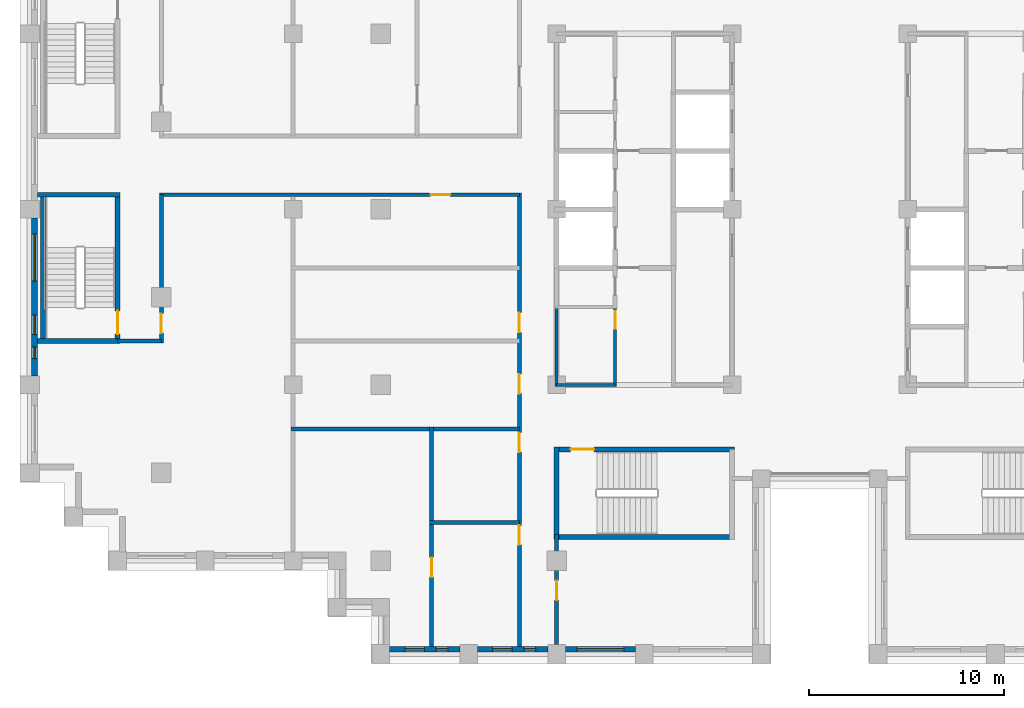
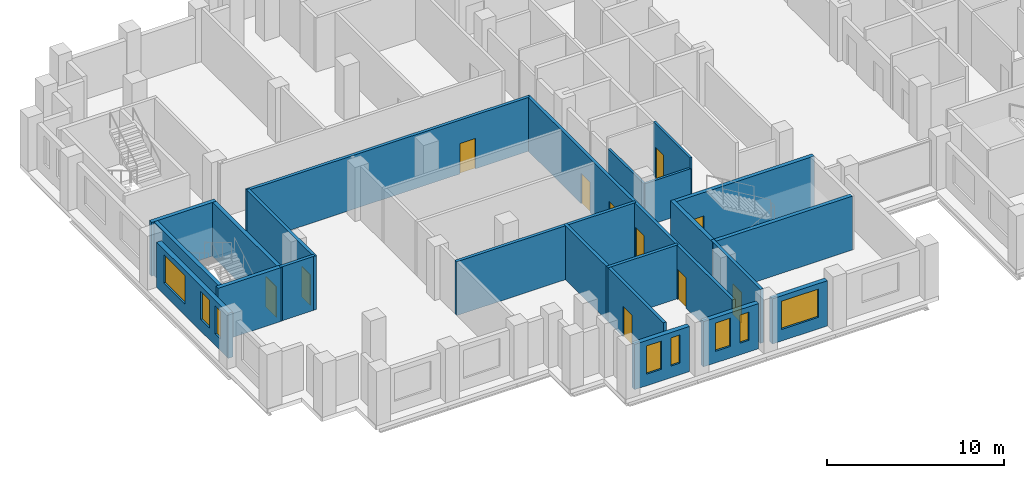
# One storey, part 6 of 15: 22 walls, 11 doors, 8 windows, 19 openings.
"""IFC4 building model written with IfcOpenShell, lengths in metres."""

from ifc_helpers import new_model, si_unit, direction, frame, frame_2d, origin, place, context, subcontext, project, spatial, rectangle, extrude, material, layer, layer_set, type_object, element, fill, save


model = new_model("IFC4")

# Units and contexts
model_context = context("Model", 3, precision=1e-05, world=origin(), true_north=direction((0.0, 1.0)))
body_context = subcontext(model_context, "Body", "Model", "MODEL_VIEW")
ifc_project = project(units=[si_unit("LENGTHUNIT", "METRE"), si_unit("AREAUNIT", "SQUARE_METRE"), si_unit("VOLUMEUNIT", "CUBIC_METRE"), si_unit("PLANEANGLEUNIT", "RADIAN"), si_unit("MASSUNIT", "GRAM", prefix="KILO")], contexts=[model_context])

# Site, building, storey
site_placement = place(None, origin())
site = spatial("IfcSite", under=ifc_project, at=site_placement, CompositionType="ELEMENT")
building_placement = place(site_placement, origin())
building = spatial("IfcBuilding", under=site, at=building_placement, Name="Corbelhall Arena Tower", CompositionType="ELEMENT")
storey_placement = place(building_placement, frame((0.0, 0.0, 216.0)))
storey = spatial("IfcBuildingStorey", under=building, at=storey_placement, Name="L45", CompositionType="ELEMENT", Elevation=216.0)

# Wall, openings, windows
ifc_material_1 = material(Name="Precast concrete C40/50 with granite facing", Category="masonry")
ifc_layer_1 = layer(ifc_material_1, 0.300048828125)
ifc_layer_set_1 = layer_set([ifc_layer_1], Name="EV-IW1 Infill panel 300")
wall_type_1 = type_object("IfcWallType", Name="EV-IW1 Infill panel 300", PredefinedType="SOLIDWALL", material=ifc_layer_set_1)
wall_1_placement = place(storey_placement, frame((-40.25, -0.449951171875, 0.0), z_axis=(0.0, 0.0, 1.0), x_axis=(0.0, -1.0, 0.0)))
wall_1 = element("IfcWall", 1, at=wall_1_placement, inside=storey, type_object=wall_type_1, Name="Infill panel IW1", PredefinedType="SOLIDWALL", context=body_context, shape_type="SweptSolid", body=[
    extrude(rectangle(XDim=8.10009765625, YDim=0.300048828125, at=frame_2d((4.050048828125, 0.0))), origin(), (0.0, 0.0, 1.0), 3.1201171875),
])
opening_1_placement = place(wall_1_placement, frame((0.824951171875, 0.0, 0.800048828125)))
opening_1 = element("IfcOpeningElement", 2, at=opening_1_placement, cuts=wall_1, Name="Opening WN1", PredefinedType="OPENING", context=body_context, shape_type="SweptSolid", body=[
    extrude(rectangle(XDim=2.39990234375, YDim=1.949951171875, at=frame_2d((1.199951171875, 0.97509765625))), frame((0.0, 0.14990234375, 0.0), z_axis=(0.0, -1.0, 0.0), x_axis=(1.0, 0.0, 0.0)), (0.0, 0.0, 1.0), 0.300048828125),
])
opening_2_placement = place(wall_1_placement, frame((4.97509765625, 0.0, 0.800048828125)))
opening_2 = element("IfcOpeningElement", 3, at=opening_2_placement, cuts=wall_1, Name="Opening WN6", PredefinedType="OPENING", context=body_context, shape_type="SweptSolid", body=[
    extrude(rectangle(XDim=1.0, YDim=1.949951171875, at=frame_2d((0.5, 0.97509765625))), frame((0.0, 0.14990234375, 0.0), z_axis=(0.0, -1.0, 0.0), x_axis=(1.0, 0.0, 0.0)), (0.0, 0.0, 1.0), 0.300048828125),
])
opening_3_placement = place(wall_1_placement, frame((6.60009765625, 0.0, 0.800048828125)))
opening_3 = element("IfcOpeningElement", 4, at=opening_3_placement, cuts=wall_1, Name="Opening WN5", PredefinedType="OPENING", context=body_context, shape_type="SweptSolid", body=[
    extrude(rectangle(XDim=0.60009765625, YDim=1.949951171875, at=frame_2d((0.300048828125, 0.97509765625))), frame((0.0, 0.14990234375, 0.0), z_axis=(0.0, -1.0, 0.0), x_axis=(1.0, 0.0, 0.0)), (0.0, 0.0, 1.0), 0.300048828125),
])
ifc_material_2 = material(Name="Aluminium black anodised", Category="aluminium")
window_type_1 = type_object("IfcWindowType", Name="EV-WN1 Office window", PartitioningType="SINGLE_PANEL", PredefinedType="WINDOW", material=ifc_material_2)
window_1_placement = place(opening_1_placement, origin())
window_1 = element("IfcWindow", 5, at=window_1_placement, inside=storey, type_object=window_type_1, Name="Window WN1", OverallHeight=1.949951171875, OverallWidth=2.39990234375, PartitioningType="SINGLE_PANEL", PredefinedType="WINDOW", context=body_context, shape_type="SweptSolid", body=[
    extrude(rectangle(XDim=2.39990234375, YDim=1.949951171875, at=frame_2d((1.199951171875, 0.97509765625))), frame((0.0, 0.030029296875, 0.0), z_axis=(0.0, -1.0, 0.0), x_axis=(1.0, 0.0, 0.0)), (0.0, 0.0, 1.0), 0.06005859375),
])
fill(opening_1, window_1)
window_type_2 = type_object("IfcWindowType", Name="EV-WN5 Office window 600", PartitioningType="SINGLE_PANEL", PredefinedType="WINDOW", material=ifc_material_2)
window_2_placement = place(opening_3_placement, origin())
window_2 = element("IfcWindow", 6, at=window_2_placement, inside=storey, type_object=window_type_2, Name="Window WN5", OverallHeight=1.949951171875, OverallWidth=0.60009765625, PartitioningType="SINGLE_PANEL", PredefinedType="WINDOW", context=body_context, shape_type="SweptSolid", body=[
    extrude(rectangle(XDim=0.60009765625, YDim=1.949951171875, at=frame_2d((0.300048828125, 0.97509765625))), frame((0.0, 0.030029296875, 0.0), z_axis=(0.0, -1.0, 0.0), x_axis=(1.0, 0.0, 0.0)), (0.0, 0.0, 1.0), 0.06005859375),
])
fill(opening_3, window_2)
window_type_3 = type_object("IfcWindowType", Name="EV-WN6 Office window 1000", PartitioningType="SINGLE_PANEL", PredefinedType="WINDOW", material=ifc_material_2)
window_3_placement = place(opening_2_placement, origin())
window_3 = element("IfcWindow", 7, at=window_3_placement, inside=storey, type_object=window_type_3, Name="Window WN6", OverallHeight=1.949951171875, OverallWidth=1.0, PartitioningType="SINGLE_PANEL", PredefinedType="WINDOW", context=body_context, shape_type="SweptSolid", body=[
    extrude(rectangle(XDim=1.0, YDim=1.949951171875, at=frame_2d((0.5, 0.97509765625))), frame((0.0, 0.030029296875, 0.0), z_axis=(0.0, -1.0, 0.0), x_axis=(1.0, 0.0, 0.0)), (0.0, 0.0, 1.0), 0.06005859375),
])
fill(opening_2, window_3)

wall_2_placement = place(storey_placement, frame((-22.050048828125, -22.550048828125, 0.0), z_axis=(0.0, 0.0, 1.0), x_axis=(1.0, 0.0, 0.0)))
wall_2 = element("IfcWall", 8, at=wall_2_placement, inside=storey, type_object=wall_type_1, Name="Infill panel IW1", PredefinedType="SOLIDWALL", context=body_context, shape_type="SweptSolid", body=[
    extrude(rectangle(XDim=3.60009765625, YDim=0.300048828125, at=frame_2d((1.800048828125, 0.0))), origin(), (0.0, 0.0, 1.0), 3.1201171875),
])
opening_4_placement = place(wall_2_placement, frame((0.77490234375, 0.0, 0.800048828125)))
opening_4 = element("IfcOpeningElement", 9, at=opening_4_placement, cuts=wall_2, Name="Opening WN6", PredefinedType="OPENING", context=body_context, shape_type="SweptSolid", body=[
    extrude(rectangle(XDim=1.0, YDim=1.949951171875, at=frame_2d((0.5, 0.97509765625))), frame((0.0, 0.14990234375, 0.0), z_axis=(0.0, -1.0, 0.0), x_axis=(1.0, 0.0, 0.0)), (0.0, 0.0, 1.0), 0.300048828125),
])
opening_5_placement = place(wall_2_placement, frame((2.375, 0.0, 0.800048828125)))
opening_5 = element("IfcOpeningElement", 10, at=opening_5_placement, cuts=wall_2, Name="Opening WN5", PredefinedType="OPENING", context=body_context, shape_type="SweptSolid", body=[
    extrude(rectangle(XDim=0.60009765625, YDim=1.949951171875, at=frame_2d((0.300048828125, 0.97509765625))), frame((0.0, 0.14990234375, 0.0), z_axis=(0.0, -1.0, 0.0), x_axis=(1.0, 0.0, 0.0)), (0.0, 0.0, 1.0), 0.300048828125),
])
window_4_placement = place(opening_5_placement, origin())
window_4 = element("IfcWindow", 11, at=window_4_placement, inside=storey, type_object=window_type_2, Name="Window WN5", OverallHeight=1.949951171875, OverallWidth=0.60009765625, PartitioningType="SINGLE_PANEL", PredefinedType="WINDOW", context=body_context, shape_type="SweptSolid", body=[
    extrude(rectangle(XDim=0.60009765625, YDim=1.949951171875, at=frame_2d((0.300048828125, 0.97509765625))), frame((0.0, 0.030029296875, 0.0), z_axis=(0.0, -1.0, 0.0), x_axis=(1.0, 0.0, 0.0)), (0.0, 0.0, 1.0), 0.06005859375),
])
fill(opening_5, window_4)
window_5_placement = place(opening_4_placement, origin())
window_5 = element("IfcWindow", 12, at=window_5_placement, inside=storey, type_object=window_type_3, Name="Window WN6", OverallHeight=1.949951171875, OverallWidth=1.0, PartitioningType="SINGLE_PANEL", PredefinedType="WINDOW", context=body_context, shape_type="SweptSolid", body=[
    extrude(rectangle(XDim=1.0, YDim=1.949951171875, at=frame_2d((0.5, 0.97509765625))), frame((0.0, 0.030029296875, 0.0), z_axis=(0.0, -1.0, 0.0), x_axis=(1.0, 0.0, 0.0)), (0.0, 0.0, 1.0), 0.06005859375),
])
fill(opening_4, window_5)

wall_3_placement = place(storey_placement, frame((-17.550048828125, -22.550048828125, 0.0), z_axis=(0.0, 0.0, 1.0), x_axis=(1.0, 0.0, 0.0)))
wall_3 = element("IfcWall", 13, at=wall_3_placement, inside=storey, type_object=wall_type_1, Name="Infill panel IW1", PredefinedType="SOLIDWALL", context=body_context, shape_type="SweptSolid", body=[
    extrude(rectangle(XDim=3.60009765625, YDim=0.300048828125, at=frame_2d((1.800048828125, 0.0))), origin(), (0.0, 0.0, 1.0), 3.1201171875),
])
opening_6_placement = place(wall_3_placement, frame((0.77490234375, 0.0, 0.800048828125)))
opening_6 = element("IfcOpeningElement", 14, at=opening_6_placement, cuts=wall_3, Name="Opening WN6", PredefinedType="OPENING", context=body_context, shape_type="SweptSolid", body=[
    extrude(rectangle(XDim=1.0, YDim=1.949951171875, at=frame_2d((0.5, 0.97509765625))), frame((0.0, 0.14990234375, 0.0), z_axis=(0.0, -1.0, 0.0), x_axis=(1.0, 0.0, 0.0)), (0.0, 0.0, 1.0), 0.300048828125),
])
opening_7_placement = place(wall_3_placement, frame((2.375, 0.0, 0.800048828125)))
opening_7 = element("IfcOpeningElement", 15, at=opening_7_placement, cuts=wall_3, Name="Opening WN5", PredefinedType="OPENING", context=body_context, shape_type="SweptSolid", body=[
    extrude(rectangle(XDim=0.60009765625, YDim=1.949951171875, at=frame_2d((0.300048828125, 0.97509765625))), frame((0.0, 0.14990234375, 0.0), z_axis=(0.0, -1.0, 0.0), x_axis=(1.0, 0.0, 0.0)), (0.0, 0.0, 1.0), 0.300048828125),
])
window_6_placement = place(opening_7_placement, origin())
window_6 = element("IfcWindow", 16, at=window_6_placement, inside=storey, type_object=window_type_2, Name="Window WN5", OverallHeight=1.949951171875, OverallWidth=0.60009765625, PartitioningType="SINGLE_PANEL", PredefinedType="WINDOW", context=body_context, shape_type="SweptSolid", body=[
    extrude(rectangle(XDim=0.60009765625, YDim=1.949951171875, at=frame_2d((0.300048828125, 0.97509765625))), frame((0.0, 0.030029296875, 0.0), z_axis=(0.0, -1.0, 0.0), x_axis=(1.0, 0.0, 0.0)), (0.0, 0.0, 1.0), 0.06005859375),
])
fill(opening_7, window_6)
window_7_placement = place(opening_6_placement, origin())
window_7 = element("IfcWindow", 17, at=window_7_placement, inside=storey, type_object=window_type_3, Name="Window WN6", OverallHeight=1.949951171875, OverallWidth=1.0, PartitioningType="SINGLE_PANEL", PredefinedType="WINDOW", context=body_context, shape_type="SweptSolid", body=[
    extrude(rectangle(XDim=1.0, YDim=1.949951171875, at=frame_2d((0.5, 0.97509765625))), frame((0.0, 0.030029296875, 0.0), z_axis=(0.0, -1.0, 0.0), x_axis=(1.0, 0.0, 0.0)), (0.0, 0.0, 1.0), 0.06005859375),
])
fill(opening_6, window_7)

# Wall, opening, window
wall_4_placement = place(storey_placement, frame((-13.050048828125, -22.550048828125, 0.0), z_axis=(0.0, 0.0, 1.0), x_axis=(1.0, 0.0, 0.0)))
wall_4 = element("IfcWall", 18, at=wall_4_placement, inside=storey, type_object=wall_type_1, Name="Infill panel IW1", PredefinedType="SOLIDWALL", context=body_context, shape_type="SweptSolid", body=[
    extrude(rectangle(XDim=3.60009765625, YDim=0.300048828125, at=frame_2d((1.800048828125, 0.0))), origin(), (0.0, 0.0, 1.0), 3.1201171875),
])
opening_8_placement = place(wall_4_placement, frame((0.60009765625, 0.0, 0.800048828125)))
opening_8 = element("IfcOpeningElement", 19, at=opening_8_placement, cuts=wall_4, Name="Opening WN1", PredefinedType="OPENING", context=body_context, shape_type="SweptSolid", body=[
    extrude(rectangle(XDim=2.39990234375, YDim=1.949951171875, at=frame_2d((1.199951171875, 0.97509765625))), frame((0.0, 0.14990234375, 0.0), z_axis=(0.0, -1.0, 0.0), x_axis=(1.0, 0.0, 0.0)), (0.0, 0.0, 1.0), 0.300048828125),
])
window_8_placement = place(opening_8_placement, origin())
window_8 = element("IfcWindow", 20, at=window_8_placement, inside=storey, type_object=window_type_1, Name="Window WN1", OverallHeight=1.949951171875, OverallWidth=2.39990234375, PartitioningType="SINGLE_PANEL", PredefinedType="WINDOW", context=body_context, shape_type="SweptSolid", body=[
    extrude(rectangle(XDim=2.39990234375, YDim=1.949951171875, at=frame_2d((1.199951171875, 0.97509765625))), frame((0.0, 0.030029296875, 0.0), z_axis=(0.0, -1.0, 0.0), x_axis=(1.0, 0.0, 0.0)), (0.0, 0.0, 1.0), 0.06005859375),
])
fill(opening_8, window_8)

# Wall
ifc_material_3 = material(Name="Gypsum board on steel stud, acoustic", Category="steel")
ifc_layer_2 = layer(ifc_material_3, 0.199951171875)
ifc_layer_set_2 = layer_set([ifc_layer_2], Name="IN-W-DM200")
wall_type_2 = type_object("IfcWallType", Name="IN-W-DM200", PredefinedType="PARTITIONING", material=ifc_layer_set_2)
wall_5_placement = place(storey_placement, frame((-33.75, -6.75, 0.0), z_axis=(0.0, 0.0, 1.0), x_axis=(-1.0, 0.0, 0.0)))
element("IfcWall", 21, at=wall_5_placement, inside=storey, type_object=wall_type_2, Name="Partition 003", PredefinedType="PARTITIONING", context=body_context, shape_type="SweptSolid", body=[
    extrude(rectangle(XDim=2.25, YDim=0.199951171875, at=frame_2d((1.125, 0.0))), origin(), (0.0, 0.0, 1.0), 3.719970703125),
])

# Wall, opening, door
wall_6_placement = place(storey_placement, frame((-33.75, 0.75, 0.0), z_axis=(0.0, 0.0, 1.0), x_axis=(0.0, -1.0, 0.0)))
wall_6 = element("IfcWall", 22, at=wall_6_placement, inside=storey, type_object=wall_type_2, Name="Partition 004", PredefinedType="PARTITIONING", context=body_context, shape_type="SweptSolid", body=[
    extrude(rectangle(XDim=7.60009765625, YDim=0.199951171875, at=frame_2d((3.800048828125, 0.0))), origin(), (0.0, 0.0, 1.0), 3.719970703125),
])
opening_9_placement = place(wall_6_placement, frame((6.10009765625, 0.0, 0.0)))
opening_9 = element("IfcOpeningElement", 23, at=opening_9_placement, cuts=wall_6, Name="Opening 13041", PredefinedType="OPENING", context=body_context, shape_type="SweptSolid", body=[
    extrude(rectangle(XDim=1.0, YDim=2.10009765625, at=frame_2d((0.5, 1.050048828125))), frame((0.0, 0.10009765625, 0.0), z_axis=(0.0, -1.0, 0.0), x_axis=(1.0, 0.0, 0.0)), (0.0, 0.0, 1.0), 0.199951171875),
])
ifc_material_4 = material(Name="Steel door set", Category="steel")
door_type_1 = type_object("IfcDoorType", Name="IN-D-SW100", OperationType="NOTDEFINED", PredefinedType="DOOR", material=ifc_material_4)
door_1_placement = place(opening_9_placement, origin())
door_1 = element("IfcDoor", 24, at=door_1_placement, inside=storey, type_object=door_type_1, Name="Door 041", OperationType="SINGLE_SWING_RIGHT", OverallHeight=2.10009765625, OverallWidth=1.0, PredefinedType="DOOR", context=body_context, shape_type="SweptSolid", body=[
    extrude(rectangle(XDim=1.0, YDim=2.10009765625, at=frame_2d((0.5, 1.050048828125))), frame((0.0, 0.02490234375, 0.0), z_axis=(0.0, -1.0, 0.0), x_axis=(1.0, 0.0, 0.0)), (0.0, 0.0, 1.0), 0.050048828125),
])
fill(opening_9, door_1)

# Wall
wall_7_placement = place(storey_placement, frame((-27.10009765625, -11.25, 0.0), z_axis=(0.0, 0.0, 1.0), x_axis=(1.0, 0.0, 0.0)))
element("IfcWall", 25, at=wall_7_placement, inside=storey, type_object=wall_type_2, Name="Partition 006", PredefinedType="PARTITIONING", context=body_context, shape_type="SweptSolid", body=[
    extrude(rectangle(XDim=11.7001953125, YDim=0.199951171875, at=frame_2d((5.85009765625, 0.0))), origin(), (0.0, 0.0, 1.0), 3.719970703125),
])

# Wall, opening, door
wall_8_placement = place(storey_placement, frame((-15.39990234375, 0.75, 0.0), z_axis=(0.0, 0.0, 1.0), x_axis=(-1.0, 0.0, 0.0)))
wall_8 = element("IfcWall", 26, at=wall_8_placement, inside=storey, type_object=wall_type_2, Name="Partition 011", PredefinedType="PARTITIONING", context=body_context, shape_type="SweptSolid", body=[
    extrude(rectangle(XDim=18.4501953125, YDim=0.199951171875, at=frame_2d((9.22509765625, 0.0))), origin(), (0.0, 0.0, 1.0), 3.719970703125),
])
opening_10_placement = place(wall_8_placement, frame((3.550048828125, 0.0, 0.0)))
opening_10 = element("IfcOpeningElement", 27, at=opening_10_placement, cuts=wall_8, Name="Opening 13031", PredefinedType="OPENING", context=body_context, shape_type="SweptSolid", body=[
    extrude(rectangle(XDim=1.0, YDim=2.10009765625, at=frame_2d((0.5, 1.050048828125))), frame((0.0, 0.10009765625, 0.0), z_axis=(0.0, -1.0, 0.0), x_axis=(1.0, 0.0, 0.0)), (0.0, 0.0, 1.0), 0.199951171875),
])
door_2_placement = place(opening_10_placement, origin())
door_2 = element("IfcDoor", 28, at=door_2_placement, inside=storey, type_object=door_type_1, Name="Door 031", OperationType="SINGLE_SWING_RIGHT", OverallHeight=2.10009765625, OverallWidth=1.0, PredefinedType="DOOR", context=body_context, shape_type="SweptSolid", body=[
    extrude(rectangle(XDim=1.0, YDim=2.10009765625, at=frame_2d((0.5, 1.050048828125))), frame((0.0, 0.02490234375, 0.0), z_axis=(0.0, -1.0, 0.0), x_axis=(1.0, 0.0, 0.0)), (0.0, 0.0, 1.0), 0.050048828125),
])
fill(opening_10, door_2)

# Wall
wall_9_placement = place(storey_placement, frame((-20.0, -16.050048828125, 0.0), z_axis=(0.0, 0.0, 1.0), x_axis=(1.0, 0.0, 0.0)))
element("IfcWall", 29, at=wall_9_placement, inside=storey, type_object=wall_type_2, Name="Partition 015", PredefinedType="PARTITIONING", context=body_context, shape_type="SweptSolid", body=[
    extrude(rectangle(XDim=4.60009765625, YDim=0.199951171875, at=frame_2d((2.300048828125, 0.0))), origin(), (0.0, 0.0, 1.0), 3.719970703125),
])

# Wall, opening, door
wall_10_placement = place(storey_placement, frame((-19.89990234375, -22.39990234375, 0.0), z_axis=(0.0, 0.0, 1.0), x_axis=(0.0, 1.0, 0.0)))
wall_10 = element("IfcWall", 30, at=wall_10_placement, inside=storey, type_object=wall_type_2, Name="Partition 016", PredefinedType="PARTITIONING", context=body_context, shape_type="SweptSolid", body=[
    extrude(rectangle(XDim=11.25, YDim=0.199951171875, at=frame_2d((5.625, 0.0))), origin(), (0.0, 0.0, 1.0), 3.719970703125),
])
opening_11_placement = place(wall_10_placement, frame((3.550048828125, 0.0, 0.0)))
opening_11 = element("IfcOpeningElement", 31, at=opening_11_placement, cuts=wall_10, Name="Opening 13028", PredefinedType="OPENING", context=body_context, shape_type="SweptSolid", body=[
    extrude(rectangle(XDim=1.0, YDim=2.10009765625, at=frame_2d((0.5, 1.050048828125))), frame((0.0, 0.10009765625, 0.0), z_axis=(0.0, -1.0, 0.0), x_axis=(1.0, 0.0, 0.0)), (0.0, 0.0, 1.0), 0.199951171875),
])
door_3_placement = place(opening_11_placement, origin())
door_3 = element("IfcDoor", 32, at=door_3_placement, inside=storey, type_object=door_type_1, Name="Door 028", OperationType="SINGLE_SWING_LEFT", OverallHeight=2.10009765625, OverallWidth=1.0, PredefinedType="DOOR", context=body_context, shape_type="SweptSolid", body=[
    extrude(rectangle(XDim=1.0, YDim=2.10009765625, at=frame_2d((0.5, 1.050048828125))), frame((0.0, 0.02490234375, 0.0), z_axis=(0.0, -1.0, 0.0), x_axis=(1.0, 0.0, 0.0)), (0.0, 0.0, 1.0), 0.050048828125),
])
fill(opening_11, door_3)

# Wall, openings, doors
wall_11_placement = place(storey_placement, frame((-15.39990234375, -22.39990234375, 0.0), z_axis=(0.0, 0.0, 1.0), x_axis=(0.0, 1.0, 0.0)))
wall_11 = element("IfcWall", 33, at=wall_11_placement, inside=storey, type_object=wall_type_2, Name="Partition 017", PredefinedType="PARTITIONING", context=body_context, shape_type="SweptSolid", body=[
    extrude(rectangle(XDim=23.25, YDim=0.199951171875, at=frame_2d((11.625, 0.0))), origin(), (0.0, 0.0, 1.0), 3.719970703125),
])
opening_12_placement = place(wall_11_placement, frame((5.199951171875, 0.0, 0.0)))
opening_12 = element("IfcOpeningElement", 34, at=opening_12_placement, cuts=wall_11, Name="Opening 13026", PredefinedType="OPENING", context=body_context, shape_type="SweptSolid", body=[
    extrude(rectangle(XDim=1.0, YDim=2.10009765625, at=frame_2d((0.5, 1.050048828125))), frame((0.0, 0.10009765625, 0.0), z_axis=(0.0, -1.0, 0.0), x_axis=(1.0, 0.0, 0.0)), (0.0, 0.0, 1.0), 0.199951171875),
])
opening_13_placement = place(wall_11_placement, frame((9.949951171875, 0.0, 0.0)))
opening_13 = element("IfcOpeningElement", 35, at=opening_13_placement, cuts=wall_11, Name="Opening 13027", PredefinedType="OPENING", context=body_context, shape_type="SweptSolid", body=[
    extrude(rectangle(XDim=1.0, YDim=2.10009765625, at=frame_2d((0.5, 1.050048828125))), frame((0.0, 0.10009765625, 0.0), z_axis=(0.0, -1.0, 0.0), x_axis=(1.0, 0.0, 0.0)), (0.0, 0.0, 1.0), 0.199951171875),
])
opening_14_placement = place(wall_11_placement, frame((12.949951171875, 0.0, 0.0)))
opening_14 = element("IfcOpeningElement", 36, at=opening_14_placement, cuts=wall_11, Name="Opening 13029", PredefinedType="OPENING", context=body_context, shape_type="SweptSolid", body=[
    extrude(rectangle(XDim=1.0, YDim=2.10009765625, at=frame_2d((0.5, 1.050048828125))), frame((0.0, 0.10009765625, 0.0), z_axis=(0.0, -1.0, 0.0), x_axis=(1.0, 0.0, 0.0)), (0.0, 0.0, 1.0), 0.199951171875),
])
opening_15_placement = place(wall_11_placement, frame((16.10009765625, 0.0, 0.0)))
opening_15 = element("IfcOpeningElement", 37, at=opening_15_placement, cuts=wall_11, Name="Opening 13030", PredefinedType="OPENING", context=body_context, shape_type="SweptSolid", body=[
    extrude(rectangle(XDim=1.0, YDim=2.10009765625, at=frame_2d((0.5, 1.050048828125))), frame((0.0, 0.10009765625, 0.0), z_axis=(0.0, -1.0, 0.0), x_axis=(1.0, 0.0, 0.0)), (0.0, 0.0, 1.0), 0.199951171875),
])
door_4_placement = place(opening_12_placement, origin())
door_4 = element("IfcDoor", 38, at=door_4_placement, inside=storey, type_object=door_type_1, Name="Door 026", OperationType="SINGLE_SWING_LEFT", OverallHeight=2.10009765625, OverallWidth=1.0, PredefinedType="DOOR", context=body_context, shape_type="SweptSolid", body=[
    extrude(rectangle(XDim=1.0, YDim=2.10009765625, at=frame_2d((0.5, 1.050048828125))), frame((0.0, 0.02490234375, 0.0), z_axis=(0.0, -1.0, 0.0), x_axis=(1.0, 0.0, 0.0)), (0.0, 0.0, 1.0), 0.050048828125),
])
fill(opening_12, door_4)
door_5_placement = place(opening_13_placement, origin())
door_5 = element("IfcDoor", 39, at=door_5_placement, inside=storey, type_object=door_type_1, Name="Door 027", OperationType="SINGLE_SWING_RIGHT", OverallHeight=2.10009765625, OverallWidth=1.0, PredefinedType="DOOR", context=body_context, shape_type="SweptSolid", body=[
    extrude(rectangle(XDim=1.0, YDim=2.10009765625, at=frame_2d((0.5, 1.050048828125))), frame((0.0, 0.02490234375, 0.0), z_axis=(0.0, -1.0, 0.0), x_axis=(1.0, 0.0, 0.0)), (0.0, 0.0, 1.0), 0.050048828125),
])
fill(opening_13, door_5)
door_6_placement = place(opening_14_placement, origin())
door_6 = element("IfcDoor", 40, at=door_6_placement, inside=storey, type_object=door_type_1, Name="Door 029", OperationType="SINGLE_SWING_RIGHT", OverallHeight=2.10009765625, OverallWidth=1.0, PredefinedType="DOOR", context=body_context, shape_type="SweptSolid", body=[
    extrude(rectangle(XDim=1.0, YDim=2.10009765625, at=frame_2d((0.5, 1.050048828125))), frame((0.0, 0.02490234375, 0.0), z_axis=(0.0, -1.0, 0.0), x_axis=(1.0, 0.0, 0.0)), (0.0, 0.0, 1.0), 0.050048828125),
])
fill(opening_14, door_6)
door_7_placement = place(opening_15_placement, origin())
door_7 = element("IfcDoor", 41, at=door_7_placement, inside=storey, type_object=door_type_1, Name="Door 030", OperationType="SINGLE_SWING_LEFT", OverallHeight=2.10009765625, OverallWidth=1.0, PredefinedType="DOOR", context=body_context, shape_type="SweptSolid", body=[
    extrude(rectangle(XDim=1.0, YDim=2.10009765625, at=frame_2d((0.5, 1.050048828125))), frame((0.0, 0.02490234375, 0.0), z_axis=(0.0, -1.0, 0.0), x_axis=(1.0, 0.0, 0.0)), (0.0, 0.0, 1.0), 0.050048828125),
])
fill(opening_15, door_7)

# Wall, opening, door
wall_12_placement = place(storey_placement, frame((-13.5, -16.675048828125, 0.0), z_axis=(0.0, 0.0, 1.0), x_axis=(0.0, -1.0, 0.0)))
wall_12 = element("IfcWall", 42, at=wall_12_placement, inside=storey, type_object=wall_type_2, Name="Partition 019", PredefinedType="PARTITIONING", context=body_context, shape_type="SweptSolid", body=[
    extrude(rectangle(XDim=5.625, YDim=0.199951171875, at=frame_2d((2.8125, 0.0))), origin(), (0.0, 0.0, 1.0), 3.719970703125),
])
opening_16_placement = place(wall_12_placement, frame((2.35009765625, 0.0, 0.0)))
opening_16 = element("IfcOpeningElement", 43, at=opening_16_placement, cuts=wall_12, Name="Opening 13022", PredefinedType="OPENING", context=body_context, shape_type="SweptSolid", body=[
    extrude(rectangle(XDim=1.0, YDim=2.10009765625, at=frame_2d((0.5, 1.050048828125))), frame((0.0, 0.10009765625, 0.0), z_axis=(0.0, -1.0, 0.0), x_axis=(1.0, 0.0, 0.0)), (0.0, 0.0, 1.0), 0.199951171875),
])
door_8_placement = place(opening_16_placement, origin())
door_8 = element("IfcDoor", 44, at=door_8_placement, inside=storey, type_object=door_type_1, Name="Door 022", OperationType="SINGLE_SWING_LEFT", OverallHeight=2.10009765625, OverallWidth=1.0, PredefinedType="DOOR", context=body_context, shape_type="SweptSolid", body=[
    extrude(rectangle(XDim=1.0, YDim=2.10009765625, at=frame_2d((0.5, 1.050048828125))), frame((0.0, 0.02490234375, 0.0), z_axis=(0.0, -1.0, 0.0), x_axis=(1.0, 0.0, 0.0)), (0.0, 0.0, 1.0), 0.050048828125),
])
fill(opening_16, door_8)

# Wall
ifc_material_5 = material(Name="Concrete C40/50", Category="concrete")
ifc_layer_3 = layer(ifc_material_5, 0.25)
ifc_layer_set_3 = layer_set([ifc_layer_3], Name="IN-W-ST250")
wall_type_3 = type_object("IfcWallType", Name="IN-W-ST250", PredefinedType="SOLIDWALL", material=ifc_layer_set_3)
wall_13_placement = place(storey_placement, frame((-36.0, -6.75, 0.0), z_axis=(0.0, 0.0, 1.0), x_axis=(-1.0, 0.0, 0.0)))
element("IfcWall", 45, at=wall_13_placement, inside=storey, type_object=wall_type_3, Name="Shaft wall 077", PredefinedType="SOLIDWALL", context=body_context, shape_type="SweptSolid", body=[
    extrude(rectangle(XDim=4.10009765625, YDim=0.25, at=frame_2d((2.050048828125, 0.0))), origin(), (0.0, 0.0, 1.0), 3.719970703125),
])

# Wall, opening, door
wall_14_placement = place(storey_placement, frame((-36.0, 0.75, 0.0), z_axis=(0.0, 0.0, 1.0), x_axis=(0.0, -1.0, 0.0)))
wall_14 = element("IfcWall", 46, at=wall_14_placement, inside=storey, type_object=wall_type_3, Name="Shaft wall 078", PredefinedType="SOLIDWALL", context=body_context, shape_type="SweptSolid", body=[
    extrude(rectangle(XDim=7.625, YDim=0.25, at=frame_2d((3.8125, 0.0))), origin(), (0.0, 0.0, 1.0), 3.719970703125),
])
opening_17_placement = place(wall_14_placement, frame((5.949951171875, 0.0, 0.0)))
opening_17 = element("IfcOpeningElement", 47, at=opening_17_placement, cuts=wall_14, Name="Opening 13020", PredefinedType="OPENING", context=body_context, shape_type="SweptSolid", body=[
    extrude(rectangle(XDim=1.199951171875, YDim=2.10009765625, at=frame_2d((0.60009765625, 1.050048828125))), frame((0.0, 0.125, 0.0), z_axis=(0.0, -1.0, 0.0), x_axis=(1.0, 0.0, 0.0)), (0.0, 0.0, 1.0), 0.25),
])
door_type_2 = type_object("IfcDoorType", Name="IN-D-ST120", OperationType="NOTDEFINED", PredefinedType="DOOR", material=ifc_material_4)
door_9_placement = place(opening_17_placement, origin())
door_9 = element("IfcDoor", 48, at=door_9_placement, inside=storey, type_object=door_type_2, Name="Door 020", OperationType="SINGLE_SWING_LEFT", OverallHeight=2.10009765625, OverallWidth=1.199951171875, PredefinedType="DOOR", context=body_context, shape_type="SweptSolid", body=[
    extrude(rectangle(XDim=1.199951171875, YDim=2.10009765625, at=frame_2d((0.60009765625, 1.050048828125))), frame((0.0, 0.02490234375, 0.0), z_axis=(0.0, -1.0, 0.0), x_axis=(1.0, 0.0, 0.0)), (0.0, 0.0, 1.0), 0.050048828125),
])
fill(opening_17, door_9)

# Walls
wall_15_placement = place(storey_placement, frame((-35.875, 0.75, 0.0), z_axis=(0.0, 0.0, 1.0), x_axis=(-1.0, 0.0, 0.0)))
element("IfcWall", 49, at=wall_15_placement, inside=storey, type_object=wall_type_3, Name="Shaft wall 080", PredefinedType="SOLIDWALL", context=body_context, shape_type="SweptSolid", body=[
    extrude(rectangle(XDim=4.22509765625, YDim=0.25, at=frame_2d((2.112548828125, 0.0))), origin(), (0.0, 0.0, 1.0), 3.719970703125),
])
wall_16_placement = place(storey_placement, frame((-13.5, -12.175048828125, 0.0), z_axis=(0.0, 0.0, 1.0), x_axis=(0.0, -1.0, 0.0)))
element("IfcWall", 50, at=wall_16_placement, inside=storey, type_object=wall_type_3, Name="Shaft wall 081", PredefinedType="SOLIDWALL", context=body_context, shape_type="SweptSolid", body=[
    extrude(rectangle(XDim=4.75, YDim=0.25, at=frame_2d((2.375, 0.0))), origin(), (0.0, 0.0, 1.0), 3.719970703125),
])
wall_17_placement = place(storey_placement, frame((-4.5, -16.800048828125, 0.0), z_axis=(0.0, 0.0, 1.0), x_axis=(-1.0, 0.0, 0.0)))
element("IfcWall", 51, at=wall_17_placement, inside=storey, type_object=wall_type_3, Name="Shaft wall 085", PredefinedType="SOLIDWALL", context=body_context, shape_type="SweptSolid", body=[
    extrude(rectangle(XDim=9.0, YDim=0.25, at=frame_2d((4.5, 0.0))), origin(), (0.0, 0.0, 1.0), 3.719970703125),
])

# Wall, opening, door
wall_18_placement = place(storey_placement, frame((-4.375, -12.300048828125, 0.0), z_axis=(0.0, 0.0, 1.0), x_axis=(-1.0, 0.0, 0.0)))
wall_18 = element("IfcWall", 52, at=wall_18_placement, inside=storey, type_object=wall_type_3, Name="Shaft wall 089", PredefinedType="SOLIDWALL", context=body_context, shape_type="SweptSolid", body=[
    extrude(rectangle(XDim=9.125, YDim=0.25, at=frame_2d((4.5625, 0.0))), origin(), (0.0, 0.0, 1.0), 3.719970703125),
])
opening_18_placement = place(wall_18_placement, frame((7.199951171875, 0.0, 0.0)))
opening_18 = element("IfcOpeningElement", 53, at=opening_18_placement, cuts=wall_18, Name="Opening 13016", PredefinedType="OPENING", context=body_context, shape_type="SweptSolid", body=[
    extrude(rectangle(XDim=1.199951171875, YDim=2.10009765625, at=frame_2d((0.60009765625, 1.050048828125))), frame((0.0, 0.125, 0.0), z_axis=(0.0, -1.0, 0.0), x_axis=(1.0, 0.0, 0.0)), (0.0, 0.0, 1.0), 0.25),
])
door_10_placement = place(opening_18_placement, origin())
door_10 = element("IfcDoor", 54, at=door_10_placement, inside=storey, type_object=door_type_2, Name="Door 016", OperationType="SINGLE_SWING_LEFT", OverallHeight=2.10009765625, OverallWidth=1.199951171875, PredefinedType="DOOR", context=body_context, shape_type="SweptSolid", body=[
    extrude(rectangle(XDim=1.199951171875, YDim=2.10009765625, at=frame_2d((0.60009765625, 1.050048828125))), frame((0.0, 0.02490234375, 0.0), z_axis=(0.0, -1.0, 0.0), x_axis=(1.0, 0.0, 0.0)), (0.0, 0.0, 1.0), 0.050048828125),
])
fill(opening_18, door_10)

# Wall
wall_19_placement = place(storey_placement, frame((-39.824951171875, -6.625, 0.0), z_axis=(0.0, 0.0, 1.0), x_axis=(0.0, 1.0, 0.0)))
element("IfcWall", 55, at=wall_19_placement, inside=storey, type_object=wall_type_3, Name="Shaft wall SC2 facade side", PredefinedType="SOLIDWALL", context=body_context, shape_type="SweptSolid", body=[
    extrude(rectangle(XDim=7.25, YDim=0.25, at=frame_2d((3.625, 0.0))), origin(), (0.0, 0.0, 1.0), 3.719970703125),
])

# Wall, opening, door
ifc_material_6 = material(Name="Gypsum board on steel stud, moisture resistant", Category="steel")
ifc_layer_4 = layer(ifc_material_6, 0.14990234375)
ifc_layer_set_4 = layer_set([ifc_layer_4], Name="IN-W-WC150")
wall_type_4 = type_object("IfcWallType", Name="IN-W-WC150", PredefinedType="PARTITIONING", material=ifc_layer_set_4)
wall_20_placement = place(storey_placement, frame((-10.5, -9.074951171875, 0.0), z_axis=(0.0, 0.0, 1.0), x_axis=(0.0, 1.0, 0.0)))
wall_20 = element("IfcWall", 56, at=wall_20_placement, inside=storey, type_object=wall_type_4, Name="Partition 102", PredefinedType="PARTITIONING", context=body_context, shape_type="SweptSolid", body=[
    extrude(rectangle(XDim=4.14990234375, YDim=0.14990234375, at=frame_2d((2.074951171875, 0.0))), origin(), (0.0, 0.0, 1.0), 3.719970703125),
])
opening_19_placement = place(wall_20_placement, frame((2.949951171875, 0.0, 0.0)))
opening_19 = element("IfcOpeningElement", 57, at=opening_19_placement, cuts=wall_20, Name="Opening 13005", PredefinedType="OPENING", context=body_context, shape_type="SweptSolid", body=[
    extrude(rectangle(XDim=0.89990234375, YDim=2.10009765625, at=frame_2d((0.449951171875, 1.050048828125))), frame((0.0, 0.074951171875, 0.0), z_axis=(0.0, -1.0, 0.0), x_axis=(1.0, 0.0, 0.0)), (0.0, 0.0, 1.0), 0.14990234375),
])
ifc_material_7 = material(Name="Timber door set", Category="wood")
door_type_3 = type_object("IfcDoorType", Name="IN-D-SW90", OperationType="NOTDEFINED", PredefinedType="DOOR", material=ifc_material_7)
door_11_placement = place(opening_19_placement, origin())
door_11 = element("IfcDoor", 58, at=door_11_placement, inside=storey, type_object=door_type_3, Name="Door 005", OperationType="SINGLE_SWING_RIGHT", OverallHeight=2.10009765625, OverallWidth=0.89990234375, PredefinedType="DOOR", context=body_context, shape_type="SweptSolid", body=[
    extrude(rectangle(XDim=0.89990234375, YDim=2.10009765625, at=frame_2d((0.449951171875, 1.050048828125))), frame((0.0, 0.02490234375, 0.0), z_axis=(0.0, -1.0, 0.0), x_axis=(1.0, 0.0, 0.0)), (0.0, 0.0, 1.0), 0.050048828125),
])
fill(opening_19, door_11)

# Walls
ifc_layer_5 = layer(ifc_material_6, 0.14990234375)
ifc_layer_set_5 = layer_set([ifc_layer_5], Name="IN-W-WC150 under beam 762 mm")
wall_type_5 = type_object("IfcWallType", Name="IN-W-WC150 under beam 762 mm", PredefinedType="PARTITIONING", material=ifc_layer_set_5)
wall_21_placement = place(storey_placement, frame((-13.5, -9.074951171875, 0.0), z_axis=(0.0, 0.0, 1.0), x_axis=(0.0, 1.0, 0.0)))
element("IfcWall", 59, at=wall_21_placement, inside=storey, type_object=wall_type_5, Name="Partition 100", PredefinedType="PARTITIONING", context=body_context, shape_type="SweptSolid", body=[
    extrude(rectangle(XDim=4.074951171875, YDim=0.14990234375, at=frame_2d((2.03759765625, 0.0))), origin(), (0.0, 0.0, 1.0), 2.9580078125),
])
wall_22_placement = place(storey_placement, frame((-10.5, -9.0, 0.0), z_axis=(0.0, 0.0, 1.0), x_axis=(-1.0, 0.0, 0.0)))
element("IfcWall", 60, at=wall_22_placement, inside=storey, type_object=wall_type_5, Name="Partition 103", PredefinedType="PARTITIONING", context=body_context, shape_type="SweptSolid", body=[
    extrude(rectangle(XDim=3.0, YDim=0.14990234375, at=frame_2d((1.5, 0.0))), origin(), (0.0, 0.0, 1.0), 2.9580078125),
])

save(model, "model.ifc")
